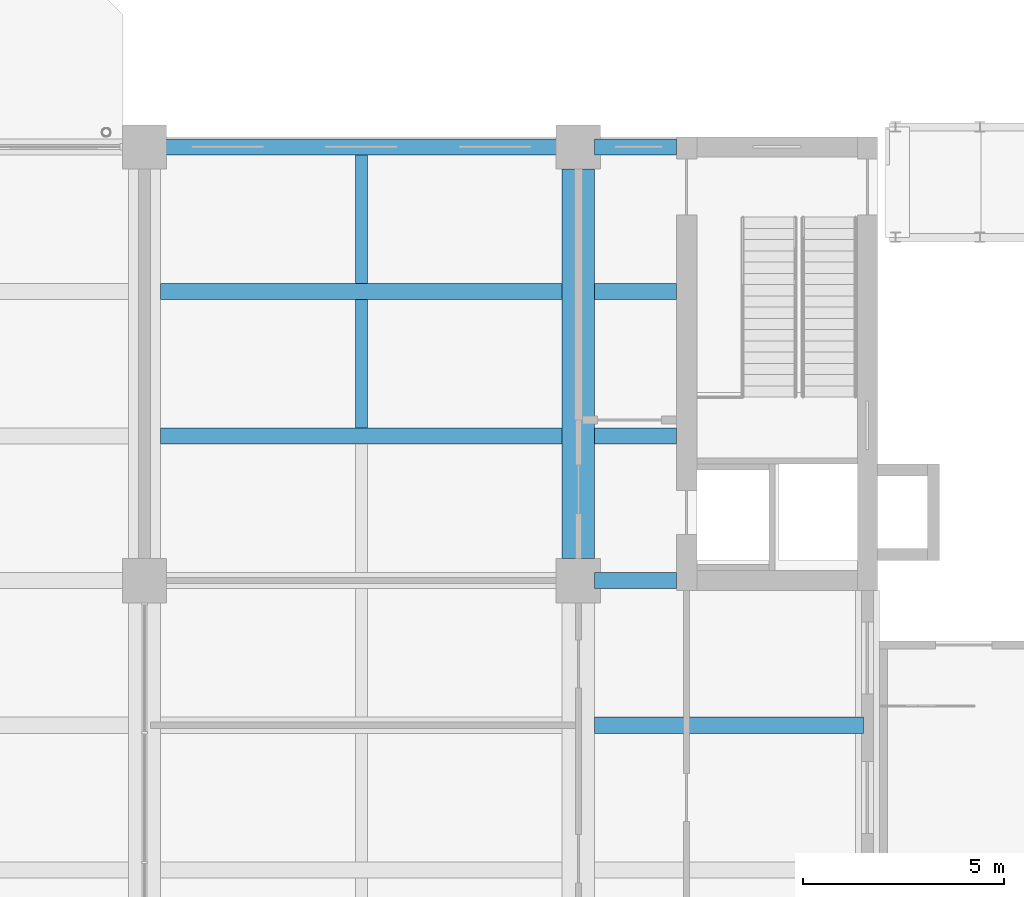
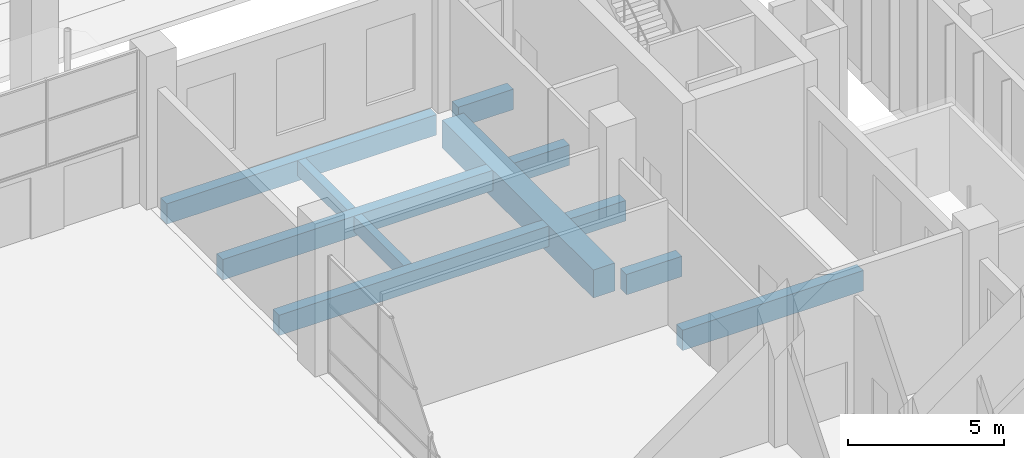
# One storey, part 37 of 71: 11 beams.
"""IFC4 building model written with IfcOpenShell, lengths in metres."""

from ifc_helpers import new_model, si_unit, direction, frame, origin, origin_2d, place, context, subcontext, project, spatial, rectangle, extrude, material, material_profile, profile_set, type_object, element, save


model = new_model("IFC4")

# Units and contexts
model_context = context("Model", 3, precision=1e-05, world=origin(), true_north=direction((0.0, 1.0)))
body_context = subcontext(model_context, "Body", "Model", "MODEL_VIEW")
ifc_project = project(units=[si_unit("LENGTHUNIT", "METRE"), si_unit("AREAUNIT", "SQUARE_METRE"), si_unit("VOLUMEUNIT", "CUBIC_METRE"), si_unit("PLANEANGLEUNIT", "RADIAN"), si_unit("MASSUNIT", "GRAM", prefix="KILO")], contexts=[model_context])

# Site, building, storey
site_placement = place(None, origin())
site = spatial("IfcSite", under=ifc_project, at=site_placement, CompositionType="ELEMENT")
building_placement = place(site_placement, origin())
building = spatial("IfcBuilding", under=site, at=building_placement, Name="Basin Gate Institute", CompositionType="ELEMENT")
storey_placement = place(building_placement, origin())
storey = spatial("IfcBuildingStorey", under=building, at=storey_placement, Name="L00", CompositionType="ELEMENT", Elevation=0.0)

# Beams
ifc_material_1 = material(Name="Concrete 40 MPa", Category="concrete")
ifc_material_profile_1 = material_profile(ifc_material_1, rectangle(XDim=0.39990234375, YDim=0.800048828125, at=origin_2d()), Name="Beam B2 400 x 800")
ifc_profile_set_1 = profile_set([ifc_material_profile_1], Name="Concrete 40 MPa")
beam_type_1 = type_object("IfcBeamType", Name="Beam B2 R180", PredefinedType="BEAM", material=ifc_profile_set_1)
beam_1_placement = place(storey_placement, frame((118.699951171875, 85.5, -0.699951171875), z_axis=(-1.0, 0.0, 0.0), x_axis=(0.0, -1.0, 0.0)))
element("IfcBeam", 1, at=beam_1_placement, inside=storey, type_object=beam_type_1, material=ifc_profile_set_1, Name="BEAM/L00/E/OUT/15", PredefinedType="BEAM", context=body_context, shape_type="SweptSolid", body=[
    extrude(rectangle(XDim=0.39990234375, YDim=0.800048828125, at=origin_2d()), origin(), (0.0, 0.0, 1.0), 6.699951171875),
])
beam_2_placement = place(storey_placement, frame((114.050048828125, 89.10009765625, -0.699951171875), z_axis=(-1.0, 0.0, 0.0), x_axis=(0.0, -1.0, 0.0)))
element("IfcBeam", 2, at=beam_2_placement, inside=storey, type_object=beam_type_1, material=ifc_profile_set_1, Name="BEAM/L00/E/CORR/16", PredefinedType="BEAM", context=body_context, shape_type="SweptSolid", body=[
    extrude(rectangle(XDim=0.39990234375, YDim=0.800048828125, at=origin_2d()), origin(), (0.0, 0.0, 1.0), 2.050048828125),
])
beam_3_placement = place(storey_placement, frame((111.199951171875, 92.699951171875, -0.699951171875), z_axis=(-1.0, 0.0, 0.0), x_axis=(0.0, -1.0, 0.0)))
element("IfcBeam", 3, at=beam_3_placement, inside=storey, type_object=beam_type_1, material=ifc_profile_set_1, Name="BEAM/L00/E/EW/17", PredefinedType="BEAM", context=body_context, shape_type="SweptSolid", body=[
    extrude(rectangle(XDim=0.39990234375, YDim=0.800048828125, at=origin_2d()), origin(), (0.0, 0.0, 1.0), 10.0),
])
beam_4_placement = place(storey_placement, frame((114.050048828125, 92.699951171875, -0.699951171875), z_axis=(-1.0, 0.0, 0.0), x_axis=(0.0, -1.0, 0.0)))
element("IfcBeam", 4, at=beam_4_placement, inside=storey, type_object=beam_type_1, material=ifc_profile_set_1, Name="BEAM/L00/E/CORR/17", PredefinedType="BEAM", context=body_context, shape_type="SweptSolid", body=[
    extrude(rectangle(XDim=0.39990234375, YDim=0.800048828125, at=origin_2d()), origin(), (0.0, 0.0, 1.0), 2.050048828125),
])
beam_5_placement = place(storey_placement, frame((111.199951171875, 96.300048828125, -0.699951171875), z_axis=(-1.0, 0.0, 0.0), x_axis=(0.0, -1.0, 0.0)))
element("IfcBeam", 5, at=beam_5_placement, inside=storey, type_object=beam_type_1, material=ifc_profile_set_1, Name="BEAM/L00/E/EW/18", PredefinedType="BEAM", context=body_context, shape_type="SweptSolid", body=[
    extrude(rectangle(XDim=0.39990234375, YDim=0.800048828125, at=origin_2d()), origin(), (0.0, 0.0, 1.0), 10.0),
])
beam_6_placement = place(storey_placement, frame((114.050048828125, 96.300048828125, -0.699951171875), z_axis=(-1.0, 0.0, 0.0), x_axis=(0.0, -1.0, 0.0)))
element("IfcBeam", 6, at=beam_6_placement, inside=storey, type_object=beam_type_1, material=ifc_profile_set_1, Name="BEAM/L00/E/CORR/18", PredefinedType="BEAM", context=body_context, shape_type="SweptSolid", body=[
    extrude(rectangle(XDim=0.39990234375, YDim=0.800048828125, at=origin_2d()), origin(), (0.0, 0.0, 1.0), 2.050048828125),
])
beam_7_placement = place(storey_placement, frame((111.199951171875, 99.89990234375, -0.699951171875), z_axis=(-1.0, 0.0, 0.0), x_axis=(0.0, -1.0, 0.0)))
element("IfcBeam", 7, at=beam_7_placement, inside=storey, type_object=beam_type_1, material=ifc_profile_set_1, Name="BEAM/L00/E/EW/19", PredefinedType="BEAM", context=body_context, shape_type="SweptSolid", body=[
    extrude(rectangle(XDim=0.39990234375, YDim=0.800048828125, at=origin_2d()), origin(), (0.0, 0.0, 1.0), 10.0),
])
beam_8_placement = place(storey_placement, frame((114.050048828125, 99.89990234375, -0.699951171875), z_axis=(-1.0, 0.0, 0.0), x_axis=(0.0, -1.0, 0.0)))
element("IfcBeam", 8, at=beam_8_placement, inside=storey, type_object=beam_type_1, material=ifc_profile_set_1, Name="BEAM/L00/E/CORR/19", PredefinedType="BEAM", context=body_context, shape_type="SweptSolid", body=[
    extrude(rectangle(XDim=0.39990234375, YDim=0.800048828125, at=origin_2d()), origin(), (0.0, 0.0, 1.0), 2.050048828125),
])
ifc_material_2 = material(Name="Concrete 50 MPa", Category="concrete")
ifc_material_profile_2 = material_profile(ifc_material_2, rectangle(XDim=0.800048828125, YDim=1.10009765625, at=origin_2d()), Name="Girder G2 800 x 1100")
ifc_profile_set_2 = profile_set([ifc_material_profile_2], Name="Concrete 50 MPa")
beam_type_2 = type_object("IfcBeamType", Name="Girder G2 R180", PredefinedType="BEAM", material=ifc_profile_set_2)
beam_9_placement = place(storey_placement, frame((111.60009765625, 89.64990234375, -0.85009765625), z_axis=(0.0, 1.0, 0.0), x_axis=(-1.0, 0.0, 0.0)))
element("IfcBeam", 9, at=beam_9_placement, inside=storey, type_object=beam_type_2, material=ifc_profile_set_2, Name="GIR/L00/E8/6", PredefinedType="BEAM", context=body_context, shape_type="SweptSolid", body=[
    extrude(rectangle(XDim=0.800048828125, YDim=1.10009765625, at=origin_2d()), origin(), (0.0, 0.0, 1.0), 9.7001953125),
])
ifc_material_3 = material(Name="Concrete 40 MPa", Category="concrete")
ifc_material_profile_3 = material_profile(ifc_material_3, rectangle(XDim=0.300048828125, YDim=0.60009765625, at=origin_2d()), Name="Rib R2 300 x 600")
ifc_profile_set_3 = profile_set([ifc_material_profile_3], Name="Concrete 40 MPa")
beam_type_3 = type_object("IfcBeamType", Name="Rib R2 R180", PredefinedType="JOIST", material=ifc_profile_set_3)
beam_10_placement = place(storey_placement, frame((106.199951171875, 92.89990234375, -0.60009765625), z_axis=(0.0, 1.0, 0.0), x_axis=(-1.0, 0.0, 0.0)))
element("IfcBeam", 10, at=beam_10_placement, inside=storey, type_object=beam_type_3, material=ifc_profile_set_3, Name="BEAM/L00/E/RIB/17", PredefinedType="JOIST", context=body_context, shape_type="SweptSolid", body=[
    extrude(rectangle(XDim=0.300048828125, YDim=0.60009765625, at=origin_2d()), origin(), (0.0, 0.0, 1.0), 3.2001953125),
])
beam_11_placement = place(storey_placement, frame((106.199951171875, 96.5, -0.60009765625), z_axis=(0.0, 1.0, 0.0), x_axis=(-1.0, 0.0, 0.0)))
element("IfcBeam", 11, at=beam_11_placement, inside=storey, type_object=beam_type_3, material=ifc_profile_set_3, Name="BEAM/L00/E/RIB/18", PredefinedType="JOIST", context=body_context, shape_type="SweptSolid", body=[
    extrude(rectangle(XDim=0.300048828125, YDim=0.60009765625, at=origin_2d()), origin(), (0.0, 0.0, 1.0), 3.199951171875),
])

save(model, "model.ifc")
